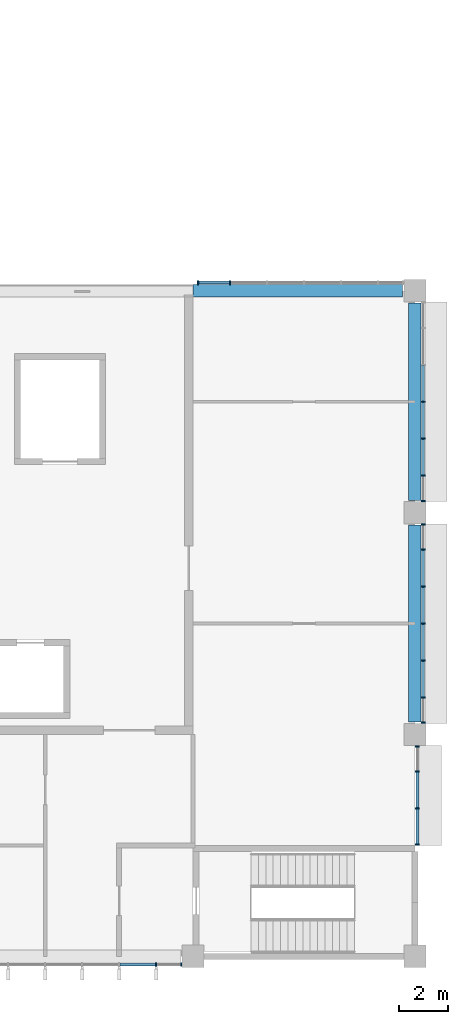
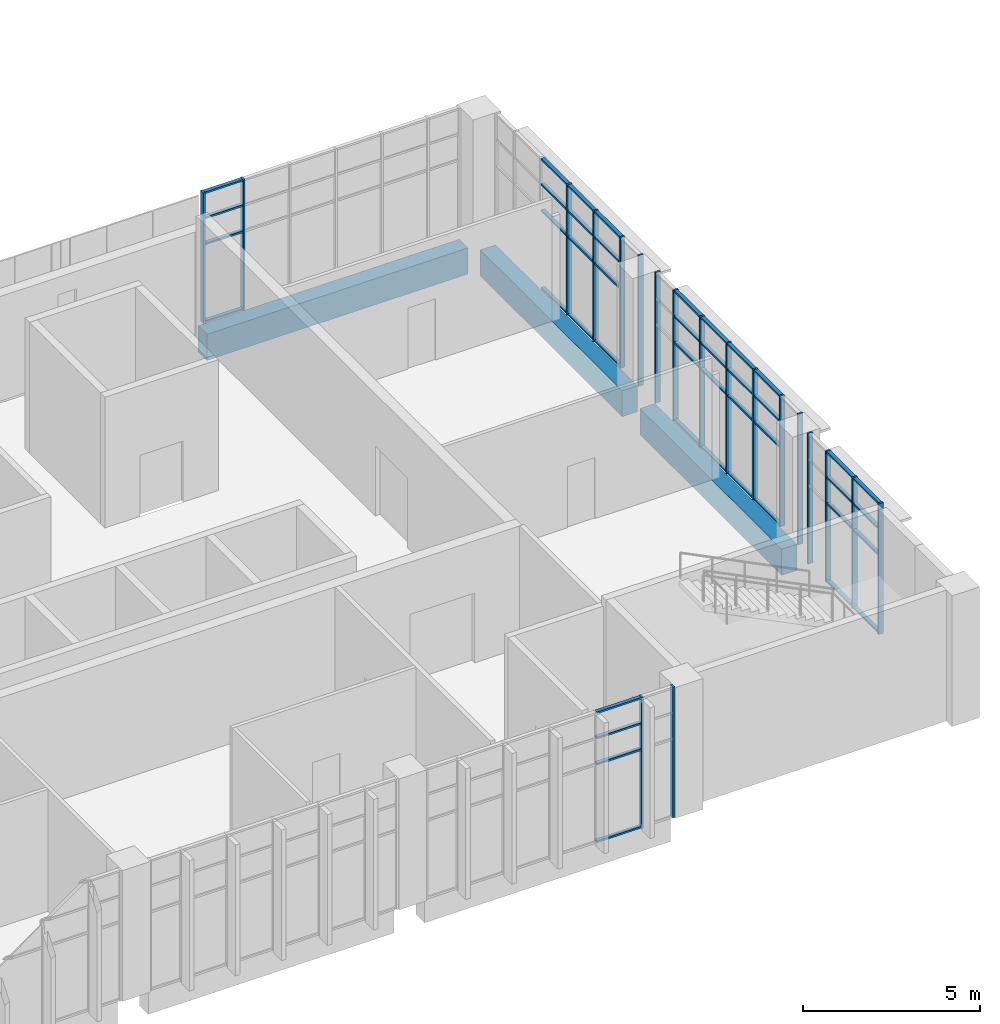
# One storey, part 34 of 106: 63 members, 3 beams, 5 elements without a shape of their own.
"""IFC4 building model written with IfcOpenShell, lengths in metres."""

import ifcopenshell
import ifcopenshell.guid

model = None  # the IFC model being written
_history = None  # IfcOwnerHistory: only IFC2X3 demands one
_inside = {}  # id of a spatial element -> (the spatial element, [elements in it])
_under = {}  # id of a project, library or spatial element -> (it, [spatial elements below it])
_declared = {}  # id of a project -> (the project, [libraries it declares])
_typed = {}  # id of a type object -> (the type object, [elements of that type])
_made_of = {}  # id of a material, layer set ... -> (it, [elements and type objects made of it])


def new_model(schema):
    """Start an empty IFC model of exactly this schema.

    Asked for "IFC4X3", IfcOpenShell would pick the latest addendum, in which some entities
    have other attributes; the version numbers below select the first issue.
    IFC2X3 requires an IfcOwnerHistory on every rooted entity: one is made here for all.
    """
    global model, _history
    if schema == "IFC4X3":
        model = ifcopenshell.file(schema_version=(4, 3, 0, 0))
    else:
        model = ifcopenshell.file(schema=schema)
    _inside.clear()
    _under.clear()
    _declared.clear()
    _typed.clear()
    _made_of.clear()
    _history = None
    if model.schema == "IFC2X3":
        org = make("IfcOrganization", Name="unknown")
        user = make(
            "IfcPersonAndOrganization",
            ThePerson=make("IfcPerson", FamilyName="unknown"),
            TheOrganization=org,
        )
        app = make(
            "IfcApplication",
            ApplicationDeveloper=org,
            Version="unknown",
            ApplicationFullName="unknown",
            ApplicationIdentifier="unknown",
        )
        _history = make(
            "IfcOwnerHistory",
            OwningUser=user,
            OwningApplication=app,
            ChangeAction="ADDED",
            CreationDate=0,
        )
    return model


def make(cls, **values):
    """One entity of the class cls with the attributes given. An attribute that is None is left unset."""
    return model.create_entity(
        cls, **{name: value for name, value in values.items() if value is not None}
    )


def rooted(cls, **values):
    """An entity with a GlobalId (a new one), such as an element, a storey or a relation."""
    return make(cls, GlobalId=ifcopenshell.guid.new(), OwnerHistory=_history, **values)


def si_unit(unit_type, name, prefix=None):
    """IfcSIUnit, for example si_unit("LENGTHUNIT", "METRE", prefix="MILLI")."""
    return make("IfcSIUnit", UnitType=unit_type, Prefix=prefix, Name=name)


def assignment(units):
    """IfcUnitAssignment: the units of a project."""
    return None if units is None else make("IfcUnitAssignment", Units=units)


def point(xyz):
    """IfcCartesianPoint."""
    return None if xyz is None else make("IfcCartesianPoint", Coordinates=xyz)


def direction(xyz):
    """IfcDirection."""
    return None if xyz is None else make("IfcDirection", DirectionRatios=xyz)


def frame(location, z_axis=None, x_axis=None):
    """IfcAxis2Placement3D, a coordinate frame: its origin and axes. An axis left out is left unset."""
    return make(
        "IfcAxis2Placement3D",
        Location=point(location),
        Axis=direction(z_axis),
        RefDirection=direction(x_axis),
    )


def frame_2d(location, x_axis=None):
    """IfcAxis2Placement2D, a coordinate frame in the plane: its origin and x axis."""
    return make(
        "IfcAxis2Placement2D", Location=point(location), RefDirection=direction(x_axis)
    )


def origin():
    """The frame at (0, 0, 0) with its axes left unset."""
    return frame((0.0, 0.0, 0.0))


def origin_2d():
    """The frame at (0, 0) in the plane with its x axis left unset."""
    return frame_2d((0.0, 0.0))


def place(relative_to, where):
    """IfcLocalPlacement: puts the frame where relative to a parent placement (None: the world)."""
    return make(
        "IfcLocalPlacement", PlacementRelTo=relative_to, RelativePlacement=where
    )


def context(
    kind, dimensions, precision=None, world=None, true_north=None, identifier=None
):
    """IfcGeometricRepresentationContext, for example the 3D "Model" context."""
    return make(
        "IfcGeometricRepresentationContext",
        ContextIdentifier=identifier,
        ContextType=kind,
        CoordinateSpaceDimension=dimensions,
        Precision=precision,
        WorldCoordinateSystem=world,
        TrueNorth=true_north,
    )


def subcontext(parent, identifier, kind, view, scale=None):
    """IfcGeometricRepresentationSubContext, for example "Body" below "Model"."""
    return make(
        "IfcGeometricRepresentationSubContext",
        ContextIdentifier=identifier,
        ContextType=kind,
        ParentContext=parent,
        TargetScale=scale,
        TargetView=view,
    )


def project(units=None, contexts=None):
    """IfcProject with its units and contexts."""
    return rooted(
        "IfcProject",
        Name="project",
        RepresentationContexts=contexts,
        UnitsInContext=assignment(units),
    )


def spatial(cls, under=None, at=None, **own):
    """A site, building, storey or space (cls), placed at a placement, below another one or the project."""
    s = rooted(cls, ObjectPlacement=at, **own)
    if under is not None:
        _under.setdefault(under.id(), (under, []))[1].append(s)
    return s


def profile(cls, at=None, kind="AREA", **sizes):
    """A parametric profile (cls). Its sizes go by their IFC names, for example OverallWidth=200.0."""
    return make(cls, ProfileType=kind, Position=at, **sizes)


def rectangle(**sizes):
    """IfcRectangleProfileDef."""
    return profile("IfcRectangleProfileDef", **sizes)


def extrude(swept, where, along, depth):
    """IfcExtrudedAreaSolid: the profile swept, set in the frame where, extruded along a direction by depth."""
    return make(
        "IfcExtrudedAreaSolid",
        SweptArea=swept,
        Position=where,
        ExtrudedDirection=direction(along),
        Depth=depth,
    )


def shape(context_of_items, identifier, shape_type, items):
    """IfcShapeRepresentation: the items that make up one representation, for example the "Body"."""
    return make(
        "IfcShapeRepresentation",
        ContextOfItems=context_of_items,
        RepresentationIdentifier=identifier,
        RepresentationType=shape_type,
        Items=items,
    )


def material(Name=None, Category=None):
    """IfcMaterial."""
    return make("IfcMaterial", Name=Name, Category=Category)


def layer(
    of_material, thickness, ventilated=None, Name=None, Category=None, Priority=None
):
    """IfcMaterialLayer: one layer of a wall or slab, of a material (None: an air gap)."""
    return make(
        "IfcMaterialLayer",
        Material=of_material,
        LayerThickness=thickness,
        IsVentilated=ventilated,
        Name=Name,
        Category=Category,
        Priority=Priority,
    )


def layer_set(layers, Name=None):
    """IfcMaterialLayerSet."""
    return make("IfcMaterialLayerSet", MaterialLayers=layers, LayerSetName=Name)


def material_profile(
    of_material, cross_section, Name=None, Category=None, Priority=None
):
    """IfcMaterialProfile: a cross section and its material."""
    return make(
        "IfcMaterialProfile",
        Name=Name,
        Material=of_material,
        Profile=cross_section,
        Priority=Priority,
        Category=Category,
    )


def profile_set(profiles, Name=None, composite=None):
    """IfcMaterialProfileSet."""
    return make(
        "IfcMaterialProfileSet",
        Name=Name,
        MaterialProfiles=profiles,
        CompositeProfile=composite,
    )


def made_of(thing, what):
    """Note that an element or type object is made of a material, layer set ...; save() writes the relation."""
    if what is not None:
        _made_of.setdefault(what.id(), (what, []))[1].append(thing)
    return thing


def type_object(cls, material=None, **own):
    """A type object (cls), such as IfcWallType, which elements share."""
    return made_of(rooted(cls, **own), material)


def element(
    cls,
    number,
    at=None,
    inside=None,
    cuts=None,
    type_object=None,
    material=None,
    context=None,
    identifier="Body",
    shape_type=None,
    held_by="IfcProductDefinitionShape",
    body=None,
    shapes=None,
    **own,
):
    """One element of the class cls, such as IfcWall. Its Tag is "e" and its number.

    at: its placement. inside: the storey or other place that contains it. cuts: it is an
    opening in that element (IfcRelVoidsElement). A single representation is given by context,
    identifier, shape_type and body (its items); several are given by shapes. held_by: the class
    of the entity that holds the representations. save() writes the other relations.
    """
    e = rooted(cls, Tag="e%d" % number, ObjectPlacement=at, **own)
    if body is not None:
        shapes = [shape(context, identifier, shape_type, body)]
    if shapes is not None:
        e.Representation = make(held_by, Representations=shapes)
    if inside is not None:
        _inside.setdefault(inside.id(), (inside, []))[1].append(e)
    if cuts is not None:
        rooted(
            "IfcRelVoidsElement", RelatingBuildingElement=cuts, RelatedOpeningElement=e
        )
    if type_object is not None:
        _typed.setdefault(type_object.id(), (type_object, []))[1].append(e)
    return made_of(e, material)


def aggregate(whole, parts):
    """IfcRelAggregates: a whole, such as a stair, and the parts it consists of."""
    return rooted("IfcRelAggregates", RelatingObject=whole, RelatedObjects=parts)


def save(model, path):
    """Write the relations noted so far, then the file.

    IfcRelAggregates (storeys below a building ...), IfcRelContainedInSpatialStructure (elements
    in a storey), IfcRelDefinesByType, IfcRelAssociatesMaterial and IfcRelDeclares: one each for
    every whole, place, type object, material and project.
    """
    for whole, parts in _under.values():
        aggregate(whole, parts)
    for where, things in _inside.values():
        rooted(
            "IfcRelContainedInSpatialStructure",
            RelatedElements=things,
            RelatingStructure=where,
        )
    for kind, things in _typed.values():
        rooted("IfcRelDefinesByType", RelatedObjects=things, RelatingType=kind)
    for what, things in _made_of.values():
        rooted("IfcRelAssociatesMaterial", RelatedObjects=things, RelatingMaterial=what)
    for by, libraries in _declared.values():
        rooted("IfcRelDeclares", RelatingContext=by, RelatedDefinitions=libraries)
    model.write(path)


model = new_model("IFC4")

# Units and contexts
model_context = context("Model", 3, precision=1e-05, world=origin(), true_north=direction((0.0, 1.0)))
body_context = subcontext(model_context, "Body", "Model", "MODEL_VIEW")
ifc_project = project(units=[si_unit("LENGTHUNIT", "METRE"), si_unit("AREAUNIT", "SQUARE_METRE"), si_unit("VOLUMEUNIT", "CUBIC_METRE"), si_unit("PLANEANGLEUNIT", "RADIAN"), si_unit("MASSUNIT", "GRAM", prefix="KILO")], contexts=[model_context])

# Site, building, storey
site_placement = place(None, origin())
site = spatial("IfcSite", under=ifc_project, at=site_placement, CompositionType="ELEMENT")
building_placement = place(site_placement, origin())
building = spatial("IfcBuilding", under=site, at=building_placement, Name="Guidao Yard Department Store", CompositionType="ELEMENT")
storey_placement = place(building_placement, frame((0.0, 0.0, 10.5)))
storey = spatial("IfcBuildingStorey", under=building, at=storey_placement, Name="L02", CompositionType="ELEMENT", Elevation=10.5)

# Curtain wall, members
ifc_material_1 = material(Name="Aluminium and glass", Category="aluminium")
ifc_layer = layer(ifc_material_1, 0.159912109375)
ifc_layer_set = layer_set([ifc_layer], Name="Unitised curtain wall CW4 1500 module")
curtain_wall_type = type_object("IfcCurtainWallType", Name="Unitised curtain wall CW4 1500 module", PredefinedType="NOTDEFINED", material=ifc_layer_set)
curtain_wall_1_placement = place(storey_placement, origin())
curtain_wall_1 = element("IfcCurtainWall", 1, at=curtain_wall_1_placement, inside=storey, type_object=curtain_wall_type, Name="Unitised curtain wall", PredefinedType="NOTDEFINED")
ifc_material_2 = material(Name="Aluminium 6063-T5", Category="aluminium")
ifc_material_profile_1 = material_profile(ifc_material_2, rectangle(XDim=0.06005859375, YDim=0.159912109375, at=origin_2d()), Name="Mullion M1 60 x 160 aluminium pressure plate")
ifc_profile_set_1 = profile_set([ifc_material_profile_1], Name="Aluminium 6063-T5")
member_type_1 = type_object("IfcMemberType", Name="Mullion M1 60 x 160 aluminium pressure plate", PredefinedType="MULLION", material=ifc_profile_set_1)
member_1_placement = place(storey_placement, frame((160.5, -0.330078125, 0.0), z_axis=(0.0, 0.0, 1.0), x_axis=(-1.0, 0.0, 0.0)))
member_1 = element("IfcMember", 2, at=member_1_placement, type_object=member_type_1, Name="CW-OW-L02-04 mullion 6", PredefinedType="MULLION", context=body_context, shape_type="SweptSolid", body=[
    extrude(rectangle(XDim=0.06005859375, YDim=0.159912109375, at=origin_2d()), origin(), (0.0, 0.0, 1.0), 4.5),
])
member_2_placement = place(storey_placement, frame((161.52001953125, -0.330078125, 0.0), z_axis=(0.0, 0.0, 1.0), x_axis=(-1.0, 0.0, 0.0)))
member_2 = element("IfcMember", 3, at=member_2_placement, type_object=member_type_1, Name="CW-OW-L02-04 mullion 7", PredefinedType="MULLION", context=body_context, shape_type="SweptSolid", body=[
    extrude(rectangle(XDim=0.06005859375, YDim=0.159912109375, at=origin_2d()), origin(), (0.0, 0.0, 1.0), 4.5),
])

curtain_wall_2_placement = place(storey_placement, origin())
curtain_wall_2 = element("IfcCurtainWall", 4, at=curtain_wall_2_placement, inside=storey, type_object=curtain_wall_type, Name="Unitised curtain wall", PredefinedType="NOTDEFINED")
member_3_placement = place(storey_placement, frame((162.205078125, 27.330078125, 0.0), z_axis=(0.0, 0.0, 1.0), x_axis=(1.0, 0.0, 0.0)))
member_3 = element("IfcMember", 5, at=member_3_placement, type_object=member_type_1, Name="CW-OW-L02-08 mullion 1", PredefinedType="MULLION", context=body_context, shape_type="SweptSolid", body=[
    extrude(rectangle(XDim=0.06005859375, YDim=0.159912109375, at=origin_2d()), origin(), (0.0, 0.0, 1.0), 4.5),
])
member_4_placement = place(storey_placement, frame((163.5, 27.330078125, 0.0), z_axis=(0.0, 0.0, 1.0), x_axis=(1.0, 0.0, 0.0)))
member_4 = element("IfcMember", 6, at=member_4_placement, type_object=member_type_1, Name="CW-OW-L02-08 mullion 2", PredefinedType="MULLION", context=body_context, shape_type="SweptSolid", body=[
    extrude(rectangle(XDim=0.06005859375, YDim=0.159912109375, at=origin_2d()), origin(), (0.0, 0.0, 1.0), 4.5),
])

curtain_wall_3_placement = place(storey_placement, origin())
curtain_wall_3 = element("IfcCurtainWall", 7, at=curtain_wall_3_placement, inside=storey, type_object=curtain_wall_type, Name="Unitised curtain wall", PredefinedType="NOTDEFINED")
member_5_placement = place(storey_placement, frame((171.10009765625, 4.530029296875, 0.0), z_axis=(0.0, 0.0, 1.0), x_axis=(0.0, -1.0, 0.0)))
member_5 = element("IfcMember", 8, at=member_5_placement, type_object=member_type_1, Name="CW-OW-L02-09 mullion 1", PredefinedType="MULLION", context=body_context, shape_type="SweptSolid", body=[
    extrude(rectangle(XDim=0.06005859375, YDim=0.159912109375, at=origin_2d()), origin(), (0.0, 0.0, 1.0), 4.5),
])
member_6_placement = place(storey_placement, frame((171.10009765625, 6.0, 0.0), z_axis=(0.0, 0.0, 1.0), x_axis=(0.0, -1.0, 0.0)))
member_6 = element("IfcMember", 9, at=member_6_placement, type_object=member_type_1, Name="CW-OW-L02-09 mullion 2", PredefinedType="MULLION", context=body_context, shape_type="SweptSolid", body=[
    extrude(rectangle(XDim=0.06005859375, YDim=0.159912109375, at=origin_2d()), origin(), (0.0, 0.0, 1.0), 4.5),
])
member_7_placement = place(storey_placement, frame((171.10009765625, 7.5, 0.0), z_axis=(0.0, 0.0, 1.0), x_axis=(0.0, -1.0, 0.0)))
member_7 = element("IfcMember", 10, at=member_7_placement, type_object=member_type_1, Name="CW-OW-L02-09 mullion 3", PredefinedType="MULLION", context=body_context, shape_type="SweptSolid", body=[
    extrude(rectangle(XDim=0.06005859375, YDim=0.159912109375, at=origin_2d()), origin(), (0.0, 0.0, 1.0), 4.5),
])
member_8_placement = place(storey_placement, frame((171.10009765625, 8.52001953125, 0.0), z_axis=(0.0, 0.0, 1.0), x_axis=(0.0, -1.0, 0.0)))
member_8 = element("IfcMember", 11, at=member_8_placement, type_object=member_type_1, Name="CW-OW-L02-09 mullion 4", PredefinedType="MULLION", context=body_context, shape_type="SweptSolid", body=[
    extrude(rectangle(XDim=0.06005859375, YDim=0.159912109375, at=origin_2d()), origin(), (0.0, 0.0, 1.0), 4.5),
])

curtain_wall_4_placement = place(storey_placement, origin())
curtain_wall_4 = element("IfcCurtainWall", 12, at=curtain_wall_4_placement, inside=storey, type_object=curtain_wall_type, Name="Unitised curtain wall", PredefinedType="NOTDEFINED")
member_9_placement = place(storey_placement, frame((171.330078125, 9.47998046875, 0.0), z_axis=(0.0, 0.0, 1.0), x_axis=(0.0, -1.0, 0.0)))
member_9 = element("IfcMember", 13, at=member_9_placement, type_object=member_type_1, Name="CW-OW-L02-10 mullion 1", PredefinedType="MULLION", context=body_context, shape_type="SweptSolid", body=[
    extrude(rectangle(XDim=0.06005859375, YDim=0.159912109375, at=origin_2d()), origin(), (0.0, 0.0, 1.0), 4.5),
])
member_10_placement = place(storey_placement, frame((171.330078125, 10.5, 0.0), z_axis=(0.0, 0.0, 1.0), x_axis=(0.0, -1.0, 0.0)))
member_10 = element("IfcMember", 14, at=member_10_placement, type_object=member_type_1, Name="CW-OW-L02-10 mullion 2", PredefinedType="MULLION", context=body_context, shape_type="SweptSolid", body=[
    extrude(rectangle(XDim=0.06005859375, YDim=0.159912109375, at=origin_2d()), origin(), (0.0, 0.0, 1.0), 4.5),
])
member_11_placement = place(storey_placement, frame((171.330078125, 12.0, 0.0), z_axis=(0.0, 0.0, 1.0), x_axis=(0.0, -1.0, 0.0)))
member_11 = element("IfcMember", 15, at=member_11_placement, type_object=member_type_1, Name="CW-OW-L02-10 mullion 3", PredefinedType="MULLION", context=body_context, shape_type="SweptSolid", body=[
    extrude(rectangle(XDim=0.06005859375, YDim=0.159912109375, at=origin_2d()), origin(), (0.0, 0.0, 1.0), 4.5),
])
member_12_placement = place(storey_placement, frame((171.330078125, 13.5, 0.0), z_axis=(0.0, 0.0, 1.0), x_axis=(0.0, -1.0, 0.0)))
member_12 = element("IfcMember", 16, at=member_12_placement, type_object=member_type_1, Name="CW-OW-L02-10 mullion 4", PredefinedType="MULLION", context=body_context, shape_type="SweptSolid", body=[
    extrude(rectangle(XDim=0.06005859375, YDim=0.159912109375, at=origin_2d()), origin(), (0.0, 0.0, 1.0), 4.5),
])
member_13_placement = place(storey_placement, frame((171.330078125, 15.0, 0.0), z_axis=(0.0, 0.0, 1.0), x_axis=(0.0, -1.0, 0.0)))
member_13 = element("IfcMember", 17, at=member_13_placement, type_object=member_type_1, Name="CW-OW-L02-10 mullion 5", PredefinedType="MULLION", context=body_context, shape_type="SweptSolid", body=[
    extrude(rectangle(XDim=0.06005859375, YDim=0.159912109375, at=origin_2d()), origin(), (0.0, 0.0, 1.0), 4.5),
])
member_14_placement = place(storey_placement, frame((171.330078125, 16.5, 0.0), z_axis=(0.0, 0.0, 1.0), x_axis=(0.0, -1.0, 0.0)))
member_14 = element("IfcMember", 18, at=member_14_placement, type_object=member_type_1, Name="CW-OW-L02-10 mullion 6", PredefinedType="MULLION", context=body_context, shape_type="SweptSolid", body=[
    extrude(rectangle(XDim=0.06005859375, YDim=0.159912109375, at=origin_2d()), origin(), (0.0, 0.0, 1.0), 4.5),
])
member_15_placement = place(storey_placement, frame((171.330078125, 17.52001953125, 0.0), z_axis=(0.0, 0.0, 1.0), x_axis=(0.0, -1.0, 0.0)))
member_15 = element("IfcMember", 19, at=member_15_placement, type_object=member_type_1, Name="CW-OW-L02-10 mullion 7", PredefinedType="MULLION", context=body_context, shape_type="SweptSolid", body=[
    extrude(rectangle(XDim=0.06005859375, YDim=0.159912109375, at=origin_2d()), origin(), (0.0, 0.0, 1.0), 4.5),
])

curtain_wall_5_placement = place(storey_placement, origin())
curtain_wall_5 = element("IfcCurtainWall", 20, at=curtain_wall_5_placement, inside=storey, type_object=curtain_wall_type, Name="Unitised curtain wall", PredefinedType="NOTDEFINED")
member_16_placement = place(storey_placement, frame((171.330078125, 18.47998046875, 0.0), z_axis=(0.0, 0.0, 1.0), x_axis=(0.0, -1.0, 0.0)))
member_16 = element("IfcMember", 21, at=member_16_placement, type_object=member_type_1, Name="CW-OW-L02-11 mullion 1", PredefinedType="MULLION", context=body_context, shape_type="SweptSolid", body=[
    extrude(rectangle(XDim=0.06005859375, YDim=0.159912109375, at=origin_2d()), origin(), (0.0, 0.0, 1.0), 4.5),
])
member_17_placement = place(storey_placement, frame((171.330078125, 19.5, 0.0), z_axis=(0.0, 0.0, 1.0), x_axis=(0.0, -1.0, 0.0)))
member_17 = element("IfcMember", 22, at=member_17_placement, type_object=member_type_1, Name="CW-OW-L02-11 mullion 2", PredefinedType="MULLION", context=body_context, shape_type="SweptSolid", body=[
    extrude(rectangle(XDim=0.06005859375, YDim=0.159912109375, at=origin_2d()), origin(), (0.0, 0.0, 1.0), 4.5),
])
member_18_placement = place(storey_placement, frame((171.330078125, 21.0, 0.0), z_axis=(0.0, 0.0, 1.0), x_axis=(0.0, -1.0, 0.0)))
member_18 = element("IfcMember", 23, at=member_18_placement, type_object=member_type_1, Name="CW-OW-L02-11 mullion 3", PredefinedType="MULLION", context=body_context, shape_type="SweptSolid", body=[
    extrude(rectangle(XDim=0.06005859375, YDim=0.159912109375, at=origin_2d()), origin(), (0.0, 0.0, 1.0), 4.5),
])
member_19_placement = place(storey_placement, frame((171.330078125, 22.5, 0.0), z_axis=(0.0, 0.0, 1.0), x_axis=(0.0, -1.0, 0.0)))
member_19 = element("IfcMember", 24, at=member_19_placement, type_object=member_type_1, Name="CW-OW-L02-11 mullion 4", PredefinedType="MULLION", context=body_context, shape_type="SweptSolid", body=[
    extrude(rectangle(XDim=0.06005859375, YDim=0.159912109375, at=origin_2d()), origin(), (0.0, 0.0, 1.0), 4.5),
])

# Beams
ifc_material_3 = material(Name="Concrete C40", Category="concrete")
ifc_material_profile_2 = material_profile(ifc_material_3, rectangle(XDim=0.5, YDim=0.89990234375, at=origin_2d()), Name="Spandrel beam 500 x 900 C40")
ifc_profile_set_2 = profile_set([ifc_material_profile_2], Name="Concrete C40")
beam_type = type_object("IfcBeamType", Name="Spandrel beam 500 x 900 C40", PredefinedType="SPANDREL", material=ifc_profile_set_2)
beam_placement = place(storey_placement, frame((162.0, 27.0, -0.449951171875), z_axis=(1.0, 0.0, 0.0), x_axis=(0.0, 1.0, 0.0)))
element("IfcBeam", 25, at=beam_placement, inside=storey, type_object=beam_type, Name="Beam FB08", PredefinedType="SPANDREL", context=body_context, shape_type="SweptSolid", body=[
    extrude(rectangle(XDim=0.5, YDim=0.89990234375, at=origin_2d()), origin(), (0.0, 0.0, 1.0), 8.5),
])
for number, where, z_axis, x_axis, name in (
    (26, (171.0, 9.5, -0.449951171875), (0.0, 1.0, 0.0), (-1.0, 0.0, 0.0), "Beam FB09"),
    (27, (171.0, 18.5, -0.449951171875), (0.0, 1.0, 0.0), (-1.0, 0.0, 0.0), "Beam FB10"),
):
    element("IfcBeam", number, at=place(storey_placement, frame(where, z_axis=z_axis, x_axis=x_axis)), inside=storey, type_object=beam_type, Name=name, PredefinedType="SPANDREL", context=body_context, shape_type="SweptSolid", body=[
        extrude(rectangle(XDim=0.5, YDim=0.89990234375, at=origin_2d()), origin(), (0.0, 0.0, 1.0), 8.0),
    ])

# Member
ifc_material_4 = material(Name="Aluminium 6063-T5", Category="aluminium")
ifc_material_profile_3 = material_profile(ifc_material_4, rectangle(XDim=0.1201171875, YDim=0.06005859375, at=origin_2d()), Name="Transom T1 60 x 120 aluminium pressure plate")
ifc_profile_set_3 = profile_set([ifc_material_profile_3], Name="Aluminium 6063-T5")
member_type_2 = type_object("IfcMemberType", Name="Transom T1 60 x 120 aluminium pressure plate", PredefinedType="USERDEFINED", material=ifc_profile_set_3)
member_20_placement = place(storey_placement, frame((160.469970703125, -0.330078125, 0.030029296875), z_axis=(-1.0, 0.0, 0.0), x_axis=(0.0, -1.0, 0.0)))
member_20 = element("IfcMember", 28, at=member_20_placement, type_object=member_type_2, Name="CW-OW-L02-04 transom 5.1", ObjectType="TRANSOM", PredefinedType="USERDEFINED", context=body_context, shape_type="SweptSolid", body=[
    extrude(rectangle(XDim=0.1201171875, YDim=0.06005859375, at=origin_2d()), origin(), (0.0, 0.0, 1.0), 1.43994140625),
])

member_21_placement = place(storey_placement, frame((160.469970703125, -0.330078125, 2.699951171875), z_axis=(-1.0, 0.0, 0.0), x_axis=(0.0, -1.0, 0.0)))
member_21 = element("IfcMember", 29, at=member_21_placement, type_object=member_type_2, Name="CW-OW-L02-04 transom 5.2", ObjectType="TRANSOM", PredefinedType="USERDEFINED", context=body_context, shape_type="SweptSolid", body=[
    extrude(rectangle(XDim=0.1201171875, YDim=0.06005859375, at=origin_2d()), origin(), (0.0, 0.0, 1.0), 1.43994140625),
])

member_22_placement = place(storey_placement, frame((160.469970703125, -0.330078125, 3.60009765625), z_axis=(-1.0, 0.0, 0.0), x_axis=(0.0, -1.0, 0.0)))
member_22 = element("IfcMember", 30, at=member_22_placement, type_object=member_type_2, Name="CW-OW-L02-04 transom 5.3", ObjectType="TRANSOM", PredefinedType="USERDEFINED", context=body_context, shape_type="SweptSolid", body=[
    extrude(rectangle(XDim=0.1201171875, YDim=0.06005859375, at=origin_2d()), origin(), (0.0, 0.0, 1.0), 1.43994140625),
])

member_23_placement = place(storey_placement, frame((160.469970703125, -0.330078125, 4.469970703125), z_axis=(-1.0, 0.0, 0.0), x_axis=(0.0, -1.0, 0.0)))
member_23 = element("IfcMember", 31, at=member_23_placement, type_object=member_type_2, Name="CW-OW-L02-04 transom 5.4", ObjectType="TRANSOM", PredefinedType="USERDEFINED", context=body_context, shape_type="SweptSolid", body=[
    extrude(rectangle(XDim=0.1201171875, YDim=0.06005859375, at=origin_2d()), origin(), (0.0, 0.0, 1.0), 1.43994140625),
])

aggregate(curtain_wall_1, [member_1, member_2, member_20, member_21, member_22, member_23])

member_24_placement = place(storey_placement, frame((162.235107421875, 27.330078125, 0.030029296875), z_axis=(1.0, 0.0, 0.0), x_axis=(0.0, 1.0, 0.0)))
member_24 = element("IfcMember", 32, at=member_24_placement, type_object=member_type_2, Name="CW-OW-L02-08 transom 1.1", ObjectType="TRANSOM", PredefinedType="USERDEFINED", context=body_context, shape_type="SweptSolid", body=[
    extrude(rectangle(XDim=0.1201171875, YDim=0.06005859375, at=origin_2d()), origin(), (0.0, 0.0, 1.0), 1.23486328125),
])

member_25_placement = place(storey_placement, frame((162.235107421875, 27.330078125, 2.699951171875), z_axis=(1.0, 0.0, 0.0), x_axis=(0.0, 1.0, 0.0)))
member_25 = element("IfcMember", 33, at=member_25_placement, type_object=member_type_2, Name="CW-OW-L02-08 transom 1.2", ObjectType="TRANSOM", PredefinedType="USERDEFINED", context=body_context, shape_type="SweptSolid", body=[
    extrude(rectangle(XDim=0.1201171875, YDim=0.06005859375, at=origin_2d()), origin(), (0.0, 0.0, 1.0), 1.23486328125),
])

member_26_placement = place(storey_placement, frame((162.235107421875, 27.330078125, 3.60009765625), z_axis=(1.0, 0.0, 0.0), x_axis=(0.0, 1.0, 0.0)))
member_26 = element("IfcMember", 34, at=member_26_placement, type_object=member_type_2, Name="CW-OW-L02-08 transom 1.3", ObjectType="TRANSOM", PredefinedType="USERDEFINED", context=body_context, shape_type="SweptSolid", body=[
    extrude(rectangle(XDim=0.1201171875, YDim=0.06005859375, at=origin_2d()), origin(), (0.0, 0.0, 1.0), 1.23486328125),
])

member_27_placement = place(storey_placement, frame((162.235107421875, 27.330078125, 4.469970703125), z_axis=(1.0, 0.0, 0.0), x_axis=(0.0, 1.0, 0.0)))
member_27 = element("IfcMember", 35, at=member_27_placement, type_object=member_type_2, Name="CW-OW-L02-08 transom 1.4", ObjectType="TRANSOM", PredefinedType="USERDEFINED", context=body_context, shape_type="SweptSolid", body=[
    extrude(rectangle(XDim=0.1201171875, YDim=0.06005859375, at=origin_2d()), origin(), (0.0, 0.0, 1.0), 1.23486328125),
])

aggregate(curtain_wall_2, [member_3, member_4, member_24, member_25, member_26, member_27])

member_28_placement = place(storey_placement, frame((171.10009765625, 5.969970703125, 0.030029296875), z_axis=(0.0, -1.0, 0.0), x_axis=(1.0, 0.0, 0.0)))
member_28 = element("IfcMember", 36, at=member_28_placement, type_object=member_type_2, Name="CW-OW-L02-09 transom 1.1", ObjectType="TRANSOM", PredefinedType="USERDEFINED", context=body_context, shape_type="SweptSolid", body=[
    extrude(rectangle(XDim=0.1201171875, YDim=0.06005859375, at=origin_2d()), origin(), (0.0, 0.0, 1.0), 1.409912109375),
])

member_29_placement = place(storey_placement, frame((171.10009765625, 5.969970703125, 2.699951171875), z_axis=(0.0, -1.0, 0.0), x_axis=(1.0, 0.0, 0.0)))
member_29 = element("IfcMember", 37, at=member_29_placement, type_object=member_type_2, Name="CW-OW-L02-09 transom 1.2", ObjectType="TRANSOM", PredefinedType="USERDEFINED", context=body_context, shape_type="SweptSolid", body=[
    extrude(rectangle(XDim=0.1201171875, YDim=0.06005859375, at=origin_2d()), origin(), (0.0, 0.0, 1.0), 1.409912109375),
])

member_30_placement = place(storey_placement, frame((171.10009765625, 5.969970703125, 3.60009765625), z_axis=(0.0, -1.0, 0.0), x_axis=(1.0, 0.0, 0.0)))
member_30 = element("IfcMember", 38, at=member_30_placement, type_object=member_type_2, Name="CW-OW-L02-09 transom 1.3", ObjectType="TRANSOM", PredefinedType="USERDEFINED", context=body_context, shape_type="SweptSolid", body=[
    extrude(rectangle(XDim=0.1201171875, YDim=0.06005859375, at=origin_2d()), origin(), (0.0, 0.0, 1.0), 1.409912109375),
])

member_31_placement = place(storey_placement, frame((171.10009765625, 5.969970703125, 4.469970703125), z_axis=(0.0, -1.0, 0.0), x_axis=(1.0, 0.0, 0.0)))
member_31 = element("IfcMember", 39, at=member_31_placement, type_object=member_type_2, Name="CW-OW-L02-09 transom 1.4", ObjectType="TRANSOM", PredefinedType="USERDEFINED", context=body_context, shape_type="SweptSolid", body=[
    extrude(rectangle(XDim=0.1201171875, YDim=0.06005859375, at=origin_2d()), origin(), (0.0, 0.0, 1.0), 1.409912109375),
])

member_32_placement = place(storey_placement, frame((171.10009765625, 7.469970703125, 0.030029296875), z_axis=(0.0, -1.0, 0.0), x_axis=(1.0, 0.0, 0.0)))
member_32 = element("IfcMember", 40, at=member_32_placement, type_object=member_type_2, Name="CW-OW-L02-09 transom 2.1", ObjectType="TRANSOM", PredefinedType="USERDEFINED", context=body_context, shape_type="SweptSolid", body=[
    extrude(rectangle(XDim=0.1201171875, YDim=0.06005859375, at=origin_2d()), origin(), (0.0, 0.0, 1.0), 1.43994140625),
])

member_33_placement = place(storey_placement, frame((171.10009765625, 7.469970703125, 2.699951171875), z_axis=(0.0, -1.0, 0.0), x_axis=(1.0, 0.0, 0.0)))
member_33 = element("IfcMember", 41, at=member_33_placement, type_object=member_type_2, Name="CW-OW-L02-09 transom 2.2", ObjectType="TRANSOM", PredefinedType="USERDEFINED", context=body_context, shape_type="SweptSolid", body=[
    extrude(rectangle(XDim=0.1201171875, YDim=0.06005859375, at=origin_2d()), origin(), (0.0, 0.0, 1.0), 1.43994140625),
])

member_34_placement = place(storey_placement, frame((171.10009765625, 7.469970703125, 3.60009765625), z_axis=(0.0, -1.0, 0.0), x_axis=(1.0, 0.0, 0.0)))
member_34 = element("IfcMember", 42, at=member_34_placement, type_object=member_type_2, Name="CW-OW-L02-09 transom 2.3", ObjectType="TRANSOM", PredefinedType="USERDEFINED", context=body_context, shape_type="SweptSolid", body=[
    extrude(rectangle(XDim=0.1201171875, YDim=0.06005859375, at=origin_2d()), origin(), (0.0, 0.0, 1.0), 1.43994140625),
])

member_35_placement = place(storey_placement, frame((171.10009765625, 7.469970703125, 4.469970703125), z_axis=(0.0, -1.0, 0.0), x_axis=(1.0, 0.0, 0.0)))
member_35 = element("IfcMember", 43, at=member_35_placement, type_object=member_type_2, Name="CW-OW-L02-09 transom 2.4", ObjectType="TRANSOM", PredefinedType="USERDEFINED", context=body_context, shape_type="SweptSolid", body=[
    extrude(rectangle(XDim=0.1201171875, YDim=0.06005859375, at=origin_2d()), origin(), (0.0, 0.0, 1.0), 1.43994140625),
])

aggregate(curtain_wall_3, [member_5, member_6, member_7, member_8, member_28, member_29, member_30, member_31, member_32, member_33, member_34, member_35])

member_36_placement = place(storey_placement, frame((171.330078125, 11.969970703125, 0.030029296875), z_axis=(0.0, -1.0, 0.0), x_axis=(1.0, 0.0, 0.0)))
member_36 = element("IfcMember", 44, at=member_36_placement, type_object=member_type_2, Name="CW-OW-L02-10 transom 2.1", ObjectType="TRANSOM", PredefinedType="USERDEFINED", context=body_context, shape_type="SweptSolid", body=[
    extrude(rectangle(XDim=0.1201171875, YDim=0.06005859375, at=origin_2d()), origin(), (0.0, 0.0, 1.0), 1.43994140625),
])

member_37_placement = place(storey_placement, frame((171.330078125, 11.969970703125, 2.699951171875), z_axis=(0.0, -1.0, 0.0), x_axis=(1.0, 0.0, 0.0)))
member_37 = element("IfcMember", 45, at=member_37_placement, type_object=member_type_2, Name="CW-OW-L02-10 transom 2.2", ObjectType="TRANSOM", PredefinedType="USERDEFINED", context=body_context, shape_type="SweptSolid", body=[
    extrude(rectangle(XDim=0.1201171875, YDim=0.06005859375, at=origin_2d()), origin(), (0.0, 0.0, 1.0), 1.43994140625),
])

member_38_placement = place(storey_placement, frame((171.330078125, 11.969970703125, 3.60009765625), z_axis=(0.0, -1.0, 0.0), x_axis=(1.0, 0.0, 0.0)))
member_38 = element("IfcMember", 46, at=member_38_placement, type_object=member_type_2, Name="CW-OW-L02-10 transom 2.3", ObjectType="TRANSOM", PredefinedType="USERDEFINED", context=body_context, shape_type="SweptSolid", body=[
    extrude(rectangle(XDim=0.1201171875, YDim=0.06005859375, at=origin_2d()), origin(), (0.0, 0.0, 1.0), 1.43994140625),
])

member_39_placement = place(storey_placement, frame((171.330078125, 11.969970703125, 4.469970703125), z_axis=(0.0, -1.0, 0.0), x_axis=(1.0, 0.0, 0.0)))
member_39 = element("IfcMember", 47, at=member_39_placement, type_object=member_type_2, Name="CW-OW-L02-10 transom 2.4", ObjectType="TRANSOM", PredefinedType="USERDEFINED", context=body_context, shape_type="SweptSolid", body=[
    extrude(rectangle(XDim=0.1201171875, YDim=0.06005859375, at=origin_2d()), origin(), (0.0, 0.0, 1.0), 1.43994140625),
])

member_40_placement = place(storey_placement, frame((171.330078125, 13.469970703125, 0.030029296875), z_axis=(0.0, -1.0, 0.0), x_axis=(1.0, 0.0, 0.0)))
member_40 = element("IfcMember", 48, at=member_40_placement, type_object=member_type_2, Name="CW-OW-L02-10 transom 3.1", ObjectType="TRANSOM", PredefinedType="USERDEFINED", context=body_context, shape_type="SweptSolid", body=[
    extrude(rectangle(XDim=0.1201171875, YDim=0.06005859375, at=origin_2d()), origin(), (0.0, 0.0, 1.0), 1.43994140625),
])

member_41_placement = place(storey_placement, frame((171.330078125, 13.469970703125, 2.699951171875), z_axis=(0.0, -1.0, 0.0), x_axis=(1.0, 0.0, 0.0)))
member_41 = element("IfcMember", 49, at=member_41_placement, type_object=member_type_2, Name="CW-OW-L02-10 transom 3.2", ObjectType="TRANSOM", PredefinedType="USERDEFINED", context=body_context, shape_type="SweptSolid", body=[
    extrude(rectangle(XDim=0.1201171875, YDim=0.06005859375, at=origin_2d()), origin(), (0.0, 0.0, 1.0), 1.43994140625),
])

member_42_placement = place(storey_placement, frame((171.330078125, 13.469970703125, 3.60009765625), z_axis=(0.0, -1.0, 0.0), x_axis=(1.0, 0.0, 0.0)))
member_42 = element("IfcMember", 50, at=member_42_placement, type_object=member_type_2, Name="CW-OW-L02-10 transom 3.3", ObjectType="TRANSOM", PredefinedType="USERDEFINED", context=body_context, shape_type="SweptSolid", body=[
    extrude(rectangle(XDim=0.1201171875, YDim=0.06005859375, at=origin_2d()), origin(), (0.0, 0.0, 1.0), 1.43994140625),
])

member_43_placement = place(storey_placement, frame((171.330078125, 13.469970703125, 4.469970703125), z_axis=(0.0, -1.0, 0.0), x_axis=(1.0, 0.0, 0.0)))
member_43 = element("IfcMember", 51, at=member_43_placement, type_object=member_type_2, Name="CW-OW-L02-10 transom 3.4", ObjectType="TRANSOM", PredefinedType="USERDEFINED", context=body_context, shape_type="SweptSolid", body=[
    extrude(rectangle(XDim=0.1201171875, YDim=0.06005859375, at=origin_2d()), origin(), (0.0, 0.0, 1.0), 1.43994140625),
])

member_44_placement = place(storey_placement, frame((171.330078125, 14.969970703125, 0.030029296875), z_axis=(0.0, -1.0, 0.0), x_axis=(1.0, 0.0, 0.0)))
member_44 = element("IfcMember", 52, at=member_44_placement, type_object=member_type_2, Name="CW-OW-L02-10 transom 4.1", ObjectType="TRANSOM", PredefinedType="USERDEFINED", context=body_context, shape_type="SweptSolid", body=[
    extrude(rectangle(XDim=0.1201171875, YDim=0.06005859375, at=origin_2d()), origin(), (0.0, 0.0, 1.0), 1.43994140625),
])

member_45_placement = place(storey_placement, frame((171.330078125, 14.969970703125, 2.699951171875), z_axis=(0.0, -1.0, 0.0), x_axis=(1.0, 0.0, 0.0)))
member_45 = element("IfcMember", 53, at=member_45_placement, type_object=member_type_2, Name="CW-OW-L02-10 transom 4.2", ObjectType="TRANSOM", PredefinedType="USERDEFINED", context=body_context, shape_type="SweptSolid", body=[
    extrude(rectangle(XDim=0.1201171875, YDim=0.06005859375, at=origin_2d()), origin(), (0.0, 0.0, 1.0), 1.43994140625),
])

member_46_placement = place(storey_placement, frame((171.330078125, 14.969970703125, 3.60009765625), z_axis=(0.0, -1.0, 0.0), x_axis=(1.0, 0.0, 0.0)))
member_46 = element("IfcMember", 54, at=member_46_placement, type_object=member_type_2, Name="CW-OW-L02-10 transom 4.3", ObjectType="TRANSOM", PredefinedType="USERDEFINED", context=body_context, shape_type="SweptSolid", body=[
    extrude(rectangle(XDim=0.1201171875, YDim=0.06005859375, at=origin_2d()), origin(), (0.0, 0.0, 1.0), 1.43994140625),
])

member_47_placement = place(storey_placement, frame((171.330078125, 14.969970703125, 4.469970703125), z_axis=(0.0, -1.0, 0.0), x_axis=(1.0, 0.0, 0.0)))
member_47 = element("IfcMember", 55, at=member_47_placement, type_object=member_type_2, Name="CW-OW-L02-10 transom 4.4", ObjectType="TRANSOM", PredefinedType="USERDEFINED", context=body_context, shape_type="SweptSolid", body=[
    extrude(rectangle(XDim=0.1201171875, YDim=0.06005859375, at=origin_2d()), origin(), (0.0, 0.0, 1.0), 1.43994140625),
])

member_48_placement = place(storey_placement, frame((171.330078125, 16.469970703125, 0.030029296875), z_axis=(0.0, -1.0, 0.0), x_axis=(1.0, 0.0, 0.0)))
member_48 = element("IfcMember", 56, at=member_48_placement, type_object=member_type_2, Name="CW-OW-L02-10 transom 5.1", ObjectType="TRANSOM", PredefinedType="USERDEFINED", context=body_context, shape_type="SweptSolid", body=[
    extrude(rectangle(XDim=0.1201171875, YDim=0.06005859375, at=origin_2d()), origin(), (0.0, 0.0, 1.0), 1.43994140625),
])

member_49_placement = place(storey_placement, frame((171.330078125, 16.469970703125, 2.699951171875), z_axis=(0.0, -1.0, 0.0), x_axis=(1.0, 0.0, 0.0)))
member_49 = element("IfcMember", 57, at=member_49_placement, type_object=member_type_2, Name="CW-OW-L02-10 transom 5.2", ObjectType="TRANSOM", PredefinedType="USERDEFINED", context=body_context, shape_type="SweptSolid", body=[
    extrude(rectangle(XDim=0.1201171875, YDim=0.06005859375, at=origin_2d()), origin(), (0.0, 0.0, 1.0), 1.43994140625),
])

member_50_placement = place(storey_placement, frame((171.330078125, 16.469970703125, 3.60009765625), z_axis=(0.0, -1.0, 0.0), x_axis=(1.0, 0.0, 0.0)))
member_50 = element("IfcMember", 58, at=member_50_placement, type_object=member_type_2, Name="CW-OW-L02-10 transom 5.3", ObjectType="TRANSOM", PredefinedType="USERDEFINED", context=body_context, shape_type="SweptSolid", body=[
    extrude(rectangle(XDim=0.1201171875, YDim=0.06005859375, at=origin_2d()), origin(), (0.0, 0.0, 1.0), 1.43994140625),
])

member_51_placement = place(storey_placement, frame((171.330078125, 16.469970703125, 4.469970703125), z_axis=(0.0, -1.0, 0.0), x_axis=(1.0, 0.0, 0.0)))
member_51 = element("IfcMember", 59, at=member_51_placement, type_object=member_type_2, Name="CW-OW-L02-10 transom 5.4", ObjectType="TRANSOM", PredefinedType="USERDEFINED", context=body_context, shape_type="SweptSolid", body=[
    extrude(rectangle(XDim=0.1201171875, YDim=0.06005859375, at=origin_2d()), origin(), (0.0, 0.0, 1.0), 1.43994140625),
])

aggregate(curtain_wall_4, [member_9, member_10, member_11, member_12, member_13, member_14, member_15, member_36, member_37, member_38, member_39, member_40, member_41, member_42, member_43, member_44, member_45, member_46, member_47, member_48, member_49, member_50, member_51])

member_52_placement = place(storey_placement, frame((171.330078125, 20.969970703125, 0.030029296875), z_axis=(0.0, -1.0, 0.0), x_axis=(1.0, 0.0, 0.0)))
member_52 = element("IfcMember", 60, at=member_52_placement, type_object=member_type_2, Name="CW-OW-L02-11 transom 2.1", ObjectType="TRANSOM", PredefinedType="USERDEFINED", context=body_context, shape_type="SweptSolid", body=[
    extrude(rectangle(XDim=0.1201171875, YDim=0.06005859375, at=origin_2d()), origin(), (0.0, 0.0, 1.0), 1.43994140625),
])

member_53_placement = place(storey_placement, frame((171.330078125, 20.969970703125, 2.699951171875), z_axis=(0.0, -1.0, 0.0), x_axis=(1.0, 0.0, 0.0)))
member_53 = element("IfcMember", 61, at=member_53_placement, type_object=member_type_2, Name="CW-OW-L02-11 transom 2.2", ObjectType="TRANSOM", PredefinedType="USERDEFINED", context=body_context, shape_type="SweptSolid", body=[
    extrude(rectangle(XDim=0.1201171875, YDim=0.06005859375, at=origin_2d()), origin(), (0.0, 0.0, 1.0), 1.43994140625),
])

member_54_placement = place(storey_placement, frame((171.330078125, 20.969970703125, 3.60009765625), z_axis=(0.0, -1.0, 0.0), x_axis=(1.0, 0.0, 0.0)))
member_54 = element("IfcMember", 62, at=member_54_placement, type_object=member_type_2, Name="CW-OW-L02-11 transom 2.3", ObjectType="TRANSOM", PredefinedType="USERDEFINED", context=body_context, shape_type="SweptSolid", body=[
    extrude(rectangle(XDim=0.1201171875, YDim=0.06005859375, at=origin_2d()), origin(), (0.0, 0.0, 1.0), 1.43994140625),
])

member_55_placement = place(storey_placement, frame((171.330078125, 20.969970703125, 4.469970703125), z_axis=(0.0, -1.0, 0.0), x_axis=(1.0, 0.0, 0.0)))
member_55 = element("IfcMember", 63, at=member_55_placement, type_object=member_type_2, Name="CW-OW-L02-11 transom 2.4", ObjectType="TRANSOM", PredefinedType="USERDEFINED", context=body_context, shape_type="SweptSolid", body=[
    extrude(rectangle(XDim=0.1201171875, YDim=0.06005859375, at=origin_2d()), origin(), (0.0, 0.0, 1.0), 1.43994140625),
])

member_56_placement = place(storey_placement, frame((171.330078125, 22.469970703125, 0.030029296875), z_axis=(0.0, -1.0, 0.0), x_axis=(1.0, 0.0, 0.0)))
member_56 = element("IfcMember", 64, at=member_56_placement, type_object=member_type_2, Name="CW-OW-L02-11 transom 3.1", ObjectType="TRANSOM", PredefinedType="USERDEFINED", context=body_context, shape_type="SweptSolid", body=[
    extrude(rectangle(XDim=0.1201171875, YDim=0.06005859375, at=origin_2d()), origin(), (0.0, 0.0, 1.0), 1.43994140625),
])

member_57_placement = place(storey_placement, frame((171.330078125, 22.469970703125, 2.699951171875), z_axis=(0.0, -1.0, 0.0), x_axis=(1.0, 0.0, 0.0)))
member_57 = element("IfcMember", 65, at=member_57_placement, type_object=member_type_2, Name="CW-OW-L02-11 transom 3.2", ObjectType="TRANSOM", PredefinedType="USERDEFINED", context=body_context, shape_type="SweptSolid", body=[
    extrude(rectangle(XDim=0.1201171875, YDim=0.06005859375, at=origin_2d()), origin(), (0.0, 0.0, 1.0), 1.43994140625),
])

member_58_placement = place(storey_placement, frame((171.330078125, 22.469970703125, 3.60009765625), z_axis=(0.0, -1.0, 0.0), x_axis=(1.0, 0.0, 0.0)))
member_58 = element("IfcMember", 66, at=member_58_placement, type_object=member_type_2, Name="CW-OW-L02-11 transom 3.3", ObjectType="TRANSOM", PredefinedType="USERDEFINED", context=body_context, shape_type="SweptSolid", body=[
    extrude(rectangle(XDim=0.1201171875, YDim=0.06005859375, at=origin_2d()), origin(), (0.0, 0.0, 1.0), 1.43994140625),
])

member_59_placement = place(storey_placement, frame((171.330078125, 22.469970703125, 4.469970703125), z_axis=(0.0, -1.0, 0.0), x_axis=(1.0, 0.0, 0.0)))
member_59 = element("IfcMember", 67, at=member_59_placement, type_object=member_type_2, Name="CW-OW-L02-11 transom 3.4", ObjectType="TRANSOM", PredefinedType="USERDEFINED", context=body_context, shape_type="SweptSolid", body=[
    extrude(rectangle(XDim=0.1201171875, YDim=0.06005859375, at=origin_2d()), origin(), (0.0, 0.0, 1.0), 1.43994140625),
])

member_60_placement = place(storey_placement, frame((171.330078125, 23.969970703125, 0.030029296875), z_axis=(0.0, -1.0, 0.0), x_axis=(1.0, 0.0, 0.0)))
member_60 = element("IfcMember", 68, at=member_60_placement, type_object=member_type_2, Name="CW-OW-L02-11 transom 4.1", ObjectType="TRANSOM", PredefinedType="USERDEFINED", context=body_context, shape_type="SweptSolid", body=[
    extrude(rectangle(XDim=0.1201171875, YDim=0.06005859375, at=origin_2d()), origin(), (0.0, 0.0, 1.0), 1.43994140625),
])

member_61_placement = place(storey_placement, frame((171.330078125, 23.969970703125, 2.699951171875), z_axis=(0.0, -1.0, 0.0), x_axis=(1.0, 0.0, 0.0)))
member_61 = element("IfcMember", 69, at=member_61_placement, type_object=member_type_2, Name="CW-OW-L02-11 transom 4.2", ObjectType="TRANSOM", PredefinedType="USERDEFINED", context=body_context, shape_type="SweptSolid", body=[
    extrude(rectangle(XDim=0.1201171875, YDim=0.06005859375, at=origin_2d()), origin(), (0.0, 0.0, 1.0), 1.43994140625),
])

member_62_placement = place(storey_placement, frame((171.330078125, 23.969970703125, 3.60009765625), z_axis=(0.0, -1.0, 0.0), x_axis=(1.0, 0.0, 0.0)))
member_62 = element("IfcMember", 70, at=member_62_placement, type_object=member_type_2, Name="CW-OW-L02-11 transom 4.3", ObjectType="TRANSOM", PredefinedType="USERDEFINED", context=body_context, shape_type="SweptSolid", body=[
    extrude(rectangle(XDim=0.1201171875, YDim=0.06005859375, at=origin_2d()), origin(), (0.0, 0.0, 1.0), 1.43994140625),
])

member_63_placement = place(storey_placement, frame((171.330078125, 23.969970703125, 4.469970703125), z_axis=(0.0, -1.0, 0.0), x_axis=(1.0, 0.0, 0.0)))
member_63 = element("IfcMember", 71, at=member_63_placement, type_object=member_type_2, Name="CW-OW-L02-11 transom 4.4", ObjectType="TRANSOM", PredefinedType="USERDEFINED", context=body_context, shape_type="SweptSolid", body=[
    extrude(rectangle(XDim=0.1201171875, YDim=0.06005859375, at=origin_2d()), origin(), (0.0, 0.0, 1.0), 1.43994140625),
])

aggregate(curtain_wall_5, [member_16, member_17, member_18, member_19, member_52, member_53, member_54, member_55, member_56, member_57, member_58, member_59, member_60, member_61, member_62, member_63])

save(model, "model.ifc")
